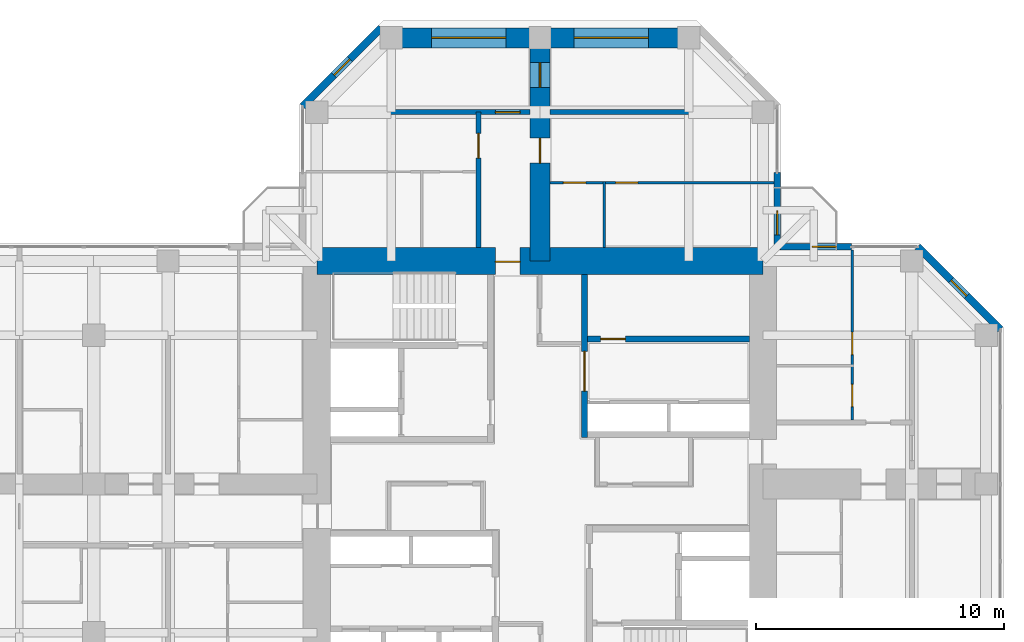
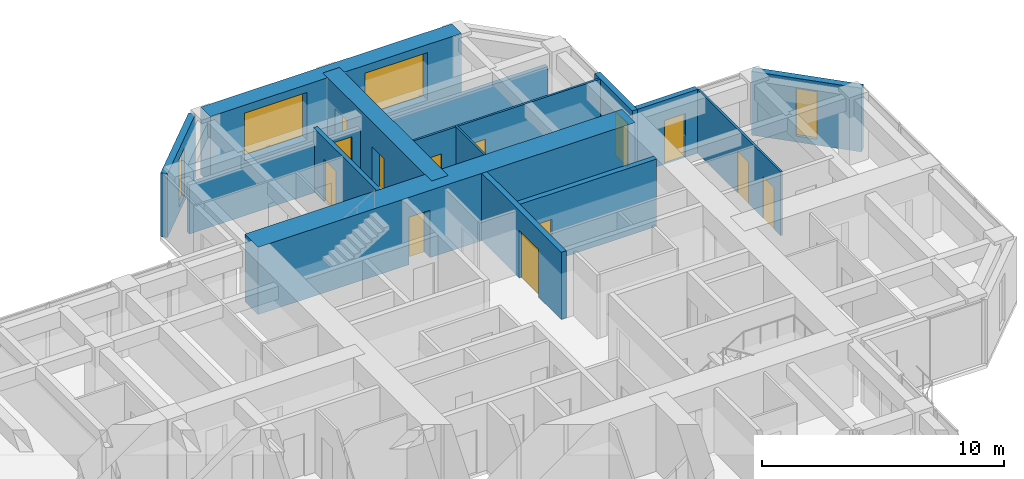
# One storey, part 12 of 14: 15 walls, 13 doors, 4 windows, 17 openings.
"""IFC4 building model written with IfcOpenShell, lengths in metres."""

from ifc_helpers import new_model, si_unit, direction, frame, frame_2d, origin, place, context, subcontext, project, spatial, rectangle, hollow_rectangle, extrude, material, layer, layer_set, constituent, constituent_set, type_object, element, fill, save


model = new_model("IFC4")

# Units and contexts
model_context = context("Model", 3, precision=1e-05, world=origin(), true_north=direction((0.0, 1.0)))
body_context = subcontext(model_context, "Body", "Model", "MODEL_VIEW")
ifc_project = project(units=[si_unit("LENGTHUNIT", "METRE"), si_unit("AREAUNIT", "SQUARE_METRE"), si_unit("VOLUMEUNIT", "CUBIC_METRE"), si_unit("PLANEANGLEUNIT", "RADIAN"), si_unit("MASSUNIT", "GRAM", prefix="KILO")], contexts=[model_context])

# Site, building, storey
site_placement = place(None, origin())
site = spatial("IfcSite", under=ifc_project, at=site_placement, CompositionType="ELEMENT")
building_placement = place(site_placement, origin())
building = spatial("IfcBuilding", under=site, at=building_placement, Name="Torre Cruceta", CompositionType="ELEMENT")
storey_placement = place(building_placement, frame((0.0, 0.0, 183.10009765625)))
storey = spatial("IfcBuildingStorey", under=building, at=storey_placement, Name="L45", CompositionType="ELEMENT", Elevation=183.10009765625)

# Wall
ifc_material_1 = material(Name="Water-resistant plasterboard on steel studs", Category="steel")
ifc_layer_1 = layer(ifc_material_1, 0.10009765625)
ifc_layer_set_1 = layer_set([ifc_layer_1], Name="Water-resistant plasterboard on steel studs")
wall_type_1 = type_object("IfcWallType", Name="BATHROOM WALL 100", PredefinedType="PARTITIONING", material=ifc_layer_set_1)
wall_1_placement = place(storey_placement, frame((2.60009765625, 9.550048828125, 0.0), z_axis=(0.0, 0.0, 1.0), x_axis=(0.0, 1.0, 0.0)))
element("IfcWall", 1, at=wall_1_placement, inside=storey, type_object=wall_type_1, Name="PT4 L45-N-U1RBB", PredefinedType="PARTITIONING", context=body_context, shape_type="SweptSolid", body=[
    extrude(rectangle(XDim=2.64990234375, YDim=0.10009765625, at=frame_2d((1.324951171875, 0.0))), origin(), (0.0, 0.0, 1.0), 3.219970703125),
])

# Wall, openings, doors
wall_2_placement = place(storey_placement, frame((9.445068359375, 12.14990234375, 0.0), z_axis=(0.0, 0.0, 1.0), x_axis=(-1.0, 0.0, 0.0)))
wall_2 = element("IfcWall", 2, at=wall_2_placement, inside=storey, type_object=wall_type_1, Name="PT4 L45-N-U1RBS", PredefinedType="PARTITIONING", context=body_context, shape_type="SweptSolid", body=[
    extrude(rectangle(XDim=9.045166015625, YDim=0.10009765625, at=frame_2d((4.5224609375, 0.0))), origin(), (0.0, 0.0, 1.0), 3.219970703125),
])
opening_1_placement = place(wall_2_placement, frame((5.4951171875, 0.0, 0.0)))
opening_1 = element("IfcOpeningElement", 3, at=opening_1_placement, cuts=wall_2, Name="Opening D7", PredefinedType="OPENING", context=body_context, shape_type="SweptSolid", body=[
    extrude(rectangle(XDim=0.89990234375, YDim=2.10009765625, at=frame_2d((0.449951171875, 1.050048828125))), frame((0.0, 0.06005859375, 0.0), z_axis=(0.0, -1.0, 0.0), x_axis=(1.0, 0.0, 0.0)), (0.0, 0.0, 1.0), 0.1201171875),
])
opening_2_placement = place(wall_2_placement, frame((7.594970703125, 0.0, 0.0)))
opening_2 = element("IfcOpeningElement", 4, at=opening_2_placement, cuts=wall_2, Name="Opening D7", PredefinedType="OPENING", context=body_context, shape_type="SweptSolid", body=[
    extrude(rectangle(XDim=0.89990234375, YDim=2.10009765625, at=frame_2d((0.449951171875, 1.050048828125))), frame((0.0, 0.06005859375, 0.0), z_axis=(0.0, -1.0, 0.0), x_axis=(1.0, 0.0, 0.0)), (0.0, 0.0, 1.0), 0.1201171875),
])
ifc_material_2 = material(Name="Timber door", Category="wood")
door_type_1 = type_object("IfcDoorType", Name="BATHROOM DOOR 900X2100", OperationType="SINGLE_SWING_LEFT", PredefinedType="DOOR", material=ifc_material_2)
door_1_placement = place(opening_1_placement, origin())
door_1 = element("IfcDoor", 5, at=door_1_placement, inside=storey, type_object=door_type_1, Name="D7 L45-N-U1RBS-D1", OperationType="SINGLE_SWING_RIGHT", OverallHeight=2.10009765625, OverallWidth=0.89990234375, PredefinedType="DOOR", context=body_context, shape_type="SweptSolid", body=[
    extrude(rectangle(XDim=0.89990234375, YDim=2.10009765625, at=frame_2d((0.449951171875, 1.050048828125))), frame((0.0, 0.02490234375, 0.0), z_axis=(0.0, -1.0, 0.0), x_axis=(1.0, 0.0, 0.0)), (0.0, 0.0, 1.0), 0.050048828125),
])
fill(opening_1, door_1)
door_2_placement = place(opening_2_placement, origin())
door_2 = element("IfcDoor", 6, at=door_2_placement, inside=storey, type_object=door_type_1, Name="D7 L45-N-U1RBS-D2", OperationType="SINGLE_SWING_RIGHT", OverallHeight=2.10009765625, OverallWidth=0.89990234375, PredefinedType="DOOR", context=body_context, shape_type="SweptSolid", body=[
    extrude(rectangle(XDim=0.89990234375, YDim=2.10009765625, at=frame_2d((0.449951171875, 1.050048828125))), frame((0.0, 0.02490234375, 0.0), z_axis=(0.0, -1.0, 0.0), x_axis=(1.0, 0.0, 0.0)), (0.0, 0.0, 1.0), 0.050048828125),
])
fill(opening_2, door_2)

wall_3_placement = place(storey_placement, frame((12.60009765625, 2.574951171875, 0.0), z_axis=(0.0, 0.0, 1.0), x_axis=(0.0, 1.0, 0.0)))
wall_3 = element("IfcWall", 7, at=wall_3_placement, inside=storey, type_object=wall_type_1, Name="PT4 L45-E-U1LBS", PredefinedType="PARTITIONING", context=body_context, shape_type="SweptSolid", body=[
    extrude(rectangle(XDim=6.8701171875, YDim=0.10009765625, at=frame_2d((3.43505859375, 0.0))), origin(), (0.0, 0.0, 1.0), 3.219970703125),
])
opening_3_placement = place(wall_3_placement, frame((0.550048828125, 0.0, 0.0)))
opening_3 = element("IfcOpeningElement", 8, at=opening_3_placement, cuts=wall_3, Name="Opening D7", PredefinedType="OPENING", context=body_context, shape_type="SweptSolid", body=[
    extrude(rectangle(XDim=0.89990234375, YDim=2.10009765625, at=frame_2d((0.449951171875, 1.050048828125))), frame((0.0, 0.06005859375, 0.0), z_axis=(0.0, -1.0, 0.0), x_axis=(1.0, 0.0, 0.0)), (0.0, 0.0, 1.0), 0.1201171875),
])
opening_4_placement = place(wall_3_placement, frame((2.64990234375, 0.0, 0.0)))
opening_4 = element("IfcOpeningElement", 9, at=opening_4_placement, cuts=wall_3, Name="Opening D7", PredefinedType="OPENING", context=body_context, shape_type="SweptSolid", body=[
    extrude(rectangle(XDim=0.89990234375, YDim=2.10009765625, at=frame_2d((0.449951171875, 1.050048828125))), frame((0.0, 0.06005859375, 0.0), z_axis=(0.0, -1.0, 0.0), x_axis=(1.0, 0.0, 0.0)), (0.0, 0.0, 1.0), 0.1201171875),
])
door_3_placement = place(opening_3_placement, origin())
door_3 = element("IfcDoor", 10, at=door_3_placement, inside=storey, type_object=door_type_1, Name="D7 L45-E-U1LBS-D1", OperationType="SINGLE_SWING_LEFT", OverallHeight=2.10009765625, OverallWidth=0.89990234375, PredefinedType="DOOR", context=body_context, shape_type="SweptSolid", body=[
    extrude(rectangle(XDim=0.89990234375, YDim=2.10009765625, at=frame_2d((0.449951171875, 1.050048828125))), frame((0.0, 0.02490234375, 0.0), z_axis=(0.0, -1.0, 0.0), x_axis=(1.0, 0.0, 0.0)), (0.0, 0.0, 1.0), 0.050048828125),
])
fill(opening_3, door_3)
door_4_placement = place(opening_4_placement, origin())
door_4 = element("IfcDoor", 11, at=door_4_placement, inside=storey, type_object=door_type_1, Name="D7 L45-E-U1LBS-D2", OperationType="SINGLE_SWING_LEFT", OverallHeight=2.10009765625, OverallWidth=0.89990234375, PredefinedType="DOOR", context=body_context, shape_type="SweptSolid", body=[
    extrude(rectangle(XDim=0.89990234375, YDim=2.10009765625, at=frame_2d((0.449951171875, 1.050048828125))), frame((0.0, 0.02490234375, 0.0), z_axis=(0.0, -1.0, 0.0), x_axis=(1.0, 0.0, 0.0)), (0.0, 0.0, 1.0), 0.050048828125),
])
fill(opening_4, door_4)

# Wall, opening, door
ifc_material_3 = material(Name="Concrete G60 (fck 60 MPa)", Category="concrete")
ifc_layer_2 = layer(ifc_material_3, 0.25)
ifc_layer_set_2 = layer_set([ifc_layer_2], Name="Concrete G60 (fck 60 MPa)")
wall_type_2 = type_object("IfcWallType", Name="CORE INNER WALL 250 G60", PredefinedType="SHEAR", material=ifc_layer_set_2)
wall_4_placement = place(storey_placement, frame((1.800048828125, 1.875, 0.0), z_axis=(0.0, 0.0, 1.0), x_axis=(0.0, 1.0, 0.0)))
wall_4 = element("IfcWall", 12, at=wall_4_placement, inside=storey, type_object=wall_type_2, Name="CW4 L45 NE-CU", PredefinedType="SHEAR", context=body_context, shape_type="SweptSolid", body=[
    extrude(rectangle(XDim=6.574951171875, YDim=0.25, at=frame_2d((3.28759765625, 0.0))), origin(), (0.0, 0.0, 1.0), 3.39990234375),
])
opening_5_placement = place(wall_4_placement, frame((1.875, 0.0, 0.0)))
opening_5 = element("IfcOpeningElement", 13, at=opening_5_placement, cuts=wall_4, Name="Opening D15", PredefinedType="OPENING", context=body_context, shape_type="SweptSolid", body=[
    extrude(rectangle(XDim=1.60009765625, YDim=2.39990234375, at=frame_2d((0.800048828125, 1.199951171875))), frame((0.0, 0.135009765625, 0.0), z_axis=(0.0, -1.0, 0.0), x_axis=(1.0, 0.0, 0.0)), (0.0, 0.0, 1.0), 0.27001953125),
])
ifc_material_4 = material(Name="Steel DX51D", Category="steel")
ifc_constituent_1 = constituent(ifc_material_4, Name="Leaf and frame")
ifc_material_5 = material(Name="Polyester powder coating", Category="paint")
ifc_constituent_2 = constituent(ifc_material_5, Name="Finish")
ifc_constituent_set_1 = constituent_set(constituents=[ifc_constituent_1, ifc_constituent_2], Name="Steel fire door")
door_type_2 = type_object("IfcDoorType", Name="CORE ROOM DOUBLE DOOR 1600X2400", OperationType="DOUBLE_DOOR_SINGLE_SWING", PredefinedType="DOOR", material=ifc_constituent_set_1)
door_5_placement = place(opening_5_placement, frame((1.60009765625, 0.0, 0.0), z_axis=(0.0, 0.0, 1.0), x_axis=(-1.0, 0.0, 0.0)))
door_5 = element("IfcDoor", 14, at=door_5_placement, inside=storey, type_object=door_type_2, Name="D15 L45 NE-LOBBY", OperationType="DOUBLE_DOOR_SINGLE_SWING", OverallHeight=2.39990234375, OverallWidth=1.60009765625, PredefinedType="DOOR", context=body_context, shape_type="SweptSolid", body=[
    extrude(rectangle(XDim=1.60009765625, YDim=2.39990234375, at=frame_2d((0.800048828125, 1.199951171875))), frame((0.0, 0.025146484375, 0.0), z_axis=(0.0, -1.0, 0.0), x_axis=(1.0, 0.0, 0.0)), (0.0, 0.0, 1.0), 0.050048828125),
])
fill(opening_5, door_5)

wall_5_placement = place(storey_placement, frame((1.925048828125, 5.85009765625, 0.0), z_axis=(0.0, 0.0, 1.0), x_axis=(1.0, 0.0, 0.0)))
wall_5 = element("IfcWall", 15, at=wall_5_placement, inside=storey, type_object=wall_type_2, Name="CW4 L45 NE-LV", PredefinedType="SHEAR", context=body_context, shape_type="SweptSolid", body=[
    extrude(rectangle(XDim=6.52490234375, YDim=0.25, at=frame_2d((3.262451171875, 0.0))), origin(), (0.0, 0.0, 1.0), 3.39990234375),
])
opening_6_placement = place(wall_5_placement, frame((0.520751953125, 0.0, 0.0)))
opening_6 = element("IfcOpeningElement", 16, at=opening_6_placement, cuts=wall_5, Name="Opening D3", PredefinedType="OPENING", context=body_context, shape_type="SweptSolid", body=[
    extrude(rectangle(XDim=1.0, YDim=2.10009765625, at=frame_2d((0.5, 1.050048828125))), frame((0.0, 0.135009765625, 0.0), z_axis=(0.0, -1.0, 0.0), x_axis=(1.0, 0.0, 0.0)), (0.0, 0.0, 1.0), 0.27001953125),
])
ifc_material_6 = material(Name="Steel DX51D", Category="steel")
ifc_constituent_3 = constituent(ifc_material_6, Name="Leaf and frame")
ifc_material_7 = material(Name="Polyester powder coating", Category="paint")
ifc_constituent_4 = constituent(ifc_material_7, Name="Finish")
ifc_constituent_set_2 = constituent_set(constituents=[ifc_constituent_3, ifc_constituent_4], Name="Steel fire door")
door_type_3 = type_object("IfcDoorType", Name="FIRE DOOR 1000X2100", OperationType="SINGLE_SWING_LEFT", PredefinedType="DOOR", material=ifc_constituent_set_2)
door_6_placement = place(opening_6_placement, origin())
door_6 = element("IfcDoor", 17, at=door_6_placement, inside=storey, type_object=door_type_3, Name="D3 L45 NE-HR1", OperationType="SINGLE_SWING_LEFT", OverallHeight=2.10009765625, OverallWidth=1.0, PredefinedType="DOOR", context=body_context, shape_type="SweptSolid", body=[
    extrude(rectangle(XDim=1.0, YDim=2.10009765625, at=frame_2d((0.5, 1.050048828125))), frame((0.0, 0.02490234375, 0.0), z_axis=(0.0, -1.0, 0.0), x_axis=(1.0, 0.0, 0.0)), (0.0, 0.0, 1.0), 0.050048828125),
])
fill(opening_6, door_6)

ifc_material_8 = material(Name="Concrete G60 (fck 60 MPa)", Category="concrete")
ifc_layer_3 = layer(ifc_material_8, 1.10009765625)
ifc_layer_set_3 = layer_set([ifc_layer_3], Name="Concrete G60 (fck 60 MPa)")
wall_type_3 = type_object("IfcWallType", Name="CORE WALL 1100 G60", PredefinedType="SHEAR", material=ifc_layer_set_3)
wall_6_placement = place(storey_placement, frame((9.0, 9.0, 0.0), z_axis=(0.0, 0.0, 1.0), x_axis=(-1.0, 0.0, 0.0)))
wall_6 = element("IfcWall", 18, at=wall_6_placement, inside=storey, type_object=wall_type_3, Name="CW2 L45 CW-N", PredefinedType="SHEAR", context=body_context, shape_type="SweptSolid", body=[
    extrude(rectangle(XDim=18.0, YDim=1.10009765625, at=frame_2d((9.0, 0.0))), origin(), (0.0, 0.0, 1.0), 3.39990234375),
])
opening_7_placement = place(wall_6_placement, frame((9.800048828125, 0.0, 0.0)))
opening_7 = element("IfcOpeningElement", 19, at=opening_7_placement, cuts=wall_6, Name="Opening D4", PredefinedType="OPENING", context=body_context, shape_type="SweptSolid", body=[
    extrude(rectangle(XDim=1.0, YDim=2.39990234375, at=frame_2d((0.5, 1.199951171875))), frame((0.0, 0.56005859375, 0.0), z_axis=(0.0, -1.0, 0.0), x_axis=(1.0, 0.0, 0.0)), (0.0, 0.0, 1.0), 1.1201171875),
])
ifc_material_9 = material(Name="Steel DX51D", Category="steel")
ifc_constituent_5 = constituent(ifc_material_9, Name="Leaf and frame")
ifc_material_10 = material(Name="Polyester powder coating", Category="paint")
ifc_constituent_6 = constituent(ifc_material_10, Name="Finish")
ifc_constituent_set_3 = constituent_set(constituents=[ifc_constituent_5, ifc_constituent_6], Name="Steel fire door")
door_type_4 = type_object("IfcDoorType", Name="CORE ARM DOOR 1000X2400", OperationType="SINGLE_SWING_RIGHT", PredefinedType="DOOR", material=ifc_constituent_set_3)
door_7_placement = place(opening_7_placement, origin())
door_7 = element("IfcDoor", 20, at=door_7_placement, inside=storey, type_object=door_type_4, Name="D4 L45 CW-N", OperationType="SINGLE_SWING_RIGHT", OverallHeight=2.39990234375, OverallWidth=1.0, PredefinedType="DOOR", context=body_context, shape_type="SweptSolid", body=[
    extrude(rectangle(XDim=1.0, YDim=2.39990234375, at=frame_2d((0.5, 1.199951171875))), frame((0.0, 0.05517578125, 0.0), z_axis=(0.0, -1.0, 0.0), x_axis=(1.0, 0.0, 0.0)), (0.0, 0.0, 1.0), 0.050048828125),
])
fill(opening_7, door_7)

ifc_material_11 = material(Name="Concrete G25 (fck 25 MPa)", Category="concrete")
ifc_layer_4 = layer(ifc_material_11, 0.199951171875)
ifc_layer_set_4 = layer_set([ifc_layer_4], Name="Concrete G25 (fck 25 MPa)")
wall_type_4 = type_object("IfcWallType", Name="CORRIDOR WALL 200", PredefinedType="SOLIDWALL", material=ifc_layer_set_4)
wall_7_placement = place(storey_placement, frame((-2.47509765625, 9.550048828125, 0.0), z_axis=(0.0, 0.0, 1.0), x_axis=(0.0, 1.0, 0.0)))
wall_7 = element("IfcWall", 21, at=wall_7_placement, inside=storey, type_object=wall_type_4, Name="PT3 L45-N-CL", PredefinedType="SOLIDWALL", context=body_context, shape_type="SweptSolid", body=[
    extrude(rectangle(XDim=5.449951171875, YDim=0.199951171875, at=frame_2d((2.72509765625, 0.0))), origin(), (0.0, 0.0, 1.0), 3.219970703125),
])
opening_8_placement = place(wall_7_placement, frame((3.60009765625, 0.0, 0.0)))
opening_8 = element("IfcOpeningElement", 22, at=opening_8_placement, cuts=wall_7, Name="Opening D6", PredefinedType="OPENING", context=body_context, shape_type="SweptSolid", body=[
    extrude(rectangle(XDim=1.0, YDim=2.14990234375, at=frame_2d((0.5, 1.074951171875))), frame((0.0, 0.10986328125, 0.0), z_axis=(0.0, -1.0, 0.0), x_axis=(1.0, 0.0, 0.0)), (0.0, 0.0, 1.0), 0.219970703125),
])
ifc_material_12 = material(Name="Timber fire door", Category="wood")
door_type_5 = type_object("IfcDoorType", Name="UNIT ENTRANCE DOOR 1000X2150", OperationType="SINGLE_SWING_LEFT", PredefinedType="DOOR", material=ifc_material_12)
door_8_placement = place(opening_8_placement, origin())
door_8 = element("IfcDoor", 23, at=door_8_placement, inside=storey, type_object=door_type_5, Name="D6 L45-N-CL-D1", OperationType="SINGLE_SWING_LEFT", OverallHeight=2.14990234375, OverallWidth=1.0, PredefinedType="DOOR", context=body_context, shape_type="SweptSolid", body=[
    extrude(rectangle(XDim=1.0, YDim=2.14990234375, at=frame_2d((0.5, 1.074951171875))), frame((0.0, 0.02490234375, 0.0), z_axis=(0.0, -1.0, 0.0), x_axis=(1.0, 0.0, 0.0)), (0.0, 0.0, 1.0), 0.050048828125),
])
fill(opening_8, door_8)

# Wall, opening, window
ifc_material_13 = material(Name="Concrete G30 (fck 30 MPa)", Category="concrete")
ifc_layer_5 = layer(ifc_material_13, 0.300048828125)
ifc_layer_set_5 = layer_set([ifc_layer_5], Name="Concrete G30 (fck 30 MPa)")
wall_type_5 = type_object("IfcWallType", Name="EXPOSED CONCRETE FACADE WALL 300", PredefinedType="SOLIDWALL", material=ifc_layer_set_5)
wall_8_placement = place(storey_placement, frame((18.570068359375, 6.236083984375, 0.0), z_axis=(0.0, 0.0, 1.0), x_axis=(-0.707106781187, 0.707106781187, 0.0)))
wall_8 = element("IfcWall", 24, at=wall_8_placement, inside=storey, type_object=wall_type_5, Name="EW1 facade wall L45 E chamfer 03", PredefinedType="SOLIDWALL", context=body_context, shape_type="SweptSolid", body=[
    extrude(rectangle(XDim=4.715087890625, YDim=0.300048828125, at=frame_2d((2.357421875, 0.0))), origin(), (0.0, 0.0, 1.0), 3.219970703125),
])
opening_9_placement = place(wall_8_placement, frame((1.907470703125, 0.0, 0.300048828125)))
opening_9 = element("IfcOpeningElement", 25, at=opening_9_placement, cuts=wall_8, Name="Opening WN5", PredefinedType="OPENING", context=body_context, shape_type="SweptSolid", body=[
    extrude(rectangle(XDim=0.89990234375, YDim=2.39990234375, at=frame_2d((0.449951171875, 1.199951171875))), frame((0.0, 0.159912109375, 0.0), z_axis=(0.0, -1.0, 0.0), x_axis=(1.0, 0.0, 0.0)), (0.0, 0.0, 1.0), 0.320068359375),
])
ifc_material_14 = material(Name="Aluminium window frame", Category="aluminium")
ifc_constituent_7 = constituent(ifc_material_14, Name="Frame")
ifc_material_15 = material(Name="Laminated insulating glass unit, low-iron clear", Category="glass")
ifc_constituent_8 = constituent(ifc_material_15, Name="Glazing")
ifc_constituent_set_4 = constituent_set(constituents=[ifc_constituent_7, ifc_constituent_8], Name="Aluminium window")
window_type_1 = type_object("IfcWindowType", Name="CHAMFER SLOT WINDOW 900X2400", PartitioningType="SINGLE_PANEL", PredefinedType="WINDOW", material=ifc_constituent_set_4)
window_1_placement = place(opening_9_placement, origin())
window_1 = element("IfcWindow", 26, at=window_1_placement, inside=storey, type_object=window_type_1, Name="WN5 L45 E 1", OverallHeight=2.39990234375, OverallWidth=0.89990234375, PartitioningType="SINGLE_PANEL", PredefinedType="WINDOW", context=body_context, shape_type="SweptSolid", body=[
    extrude(hollow_rectangle(XDim=0.89990234375, YDim=2.39990234375, WallThickness=0.06005859375, at=frame_2d((0.449951171875, 1.199951171875))), frame((0.0, 0.030029296875, 0.0), z_axis=(0.0, -1.0, 0.0), x_axis=(1.0, 0.0, 0.0)), (0.0, 0.0, 1.0), 0.06005859375),
    extrude(rectangle(XDim=0.77880859375, YDim=2.27880859375, at=frame_2d((0.449951171875, 1.199951171875))), frame((0.0, 0.030029296875, 0.0), z_axis=(0.0, -1.0, 0.0), x_axis=(1.0, 0.0, 0.0)), (0.0, 0.0, 1.0), 0.06005859375),
])
fill(opening_9, window_1)

wall_9_placement = place(storey_placement, frame((-6.406005859375, 18.39990234375, 0.0), z_axis=(0.0, 0.0, 1.0), x_axis=(-0.707134062067, -0.707079499254, 0.0)))
wall_9 = element("IfcWall", 27, at=wall_9_placement, inside=storey, type_object=wall_type_5, Name="EW1 facade wall L45 N chamfer 08", PredefinedType="SOLIDWALL", context=body_context, shape_type="SweptSolid", body=[
    extrude(rectangle(XDim=4.474609375, YDim=0.300048828125, at=frame_2d((2.2373046875, 0.0))), origin(), (0.0, 0.0, 1.0), 3.219970703125),
])
opening_10_placement = place(wall_9_placement, frame((1.787109375, 0.0, 0.300048828125)))
opening_10 = element("IfcOpeningElement", 28, at=opening_10_placement, cuts=wall_9, Name="Opening WN5", PredefinedType="OPENING", context=body_context, shape_type="SweptSolid", body=[
    extrude(rectangle(XDim=0.89990234375, YDim=2.39990234375, at=frame_2d((0.449951171875, 1.199951171875))), frame((0.0, 0.159912109375, 0.0), z_axis=(0.0, -1.0, 0.0), x_axis=(1.0, 0.0, 0.0)), (0.0, 0.0, 1.0), 0.320068359375),
])
window_2_placement = place(opening_10_placement, origin())
window_2 = element("IfcWindow", 29, at=window_2_placement, inside=storey, type_object=window_type_1, Name="WN5 L45 N 1", OverallHeight=2.39990234375, OverallWidth=0.89990234375, PartitioningType="SINGLE_PANEL", PredefinedType="WINDOW", context=body_context, shape_type="SweptSolid", body=[
    extrude(hollow_rectangle(XDim=0.89990234375, YDim=2.39990234375, WallThickness=0.06005859375, at=frame_2d((0.449951171875, 1.199951171875))), frame((0.0, 0.030029296875, 0.0), z_axis=(0.0, -1.0, 0.0), x_axis=(1.0, 0.0, 0.0)), (0.0, 0.0, 1.0), 0.06005859375),
    extrude(rectangle(XDim=0.77880859375, YDim=2.27880859375, at=frame_2d((0.449951171875, 1.199951171875))), frame((0.0, 0.030029296875, 0.0), z_axis=(0.0, -1.0, 0.0), x_axis=(1.0, 0.0, 0.0)), (0.0, 0.0, 1.0), 0.06005859375),
])
fill(opening_10, window_2)

# Wall, openings, windows
ifc_material_16 = material(Name="Concrete G60 (fck 60 MPa)", Category="concrete")
ifc_layer_6 = layer(ifc_material_16, 0.800048828125)
ifc_layer_set_6 = layer_set([ifc_layer_6], Name="Concrete G60 (fck 60 MPa)")
wall_type_6 = type_object("IfcWallType", Name="NOSE WALL 800 G60", PredefinedType="SHEAR", material=ifc_layer_set_6)
wall_10_placement = place(storey_placement, frame((6.0, 18.0, 0.0), z_axis=(0.0, 0.0, 1.0), x_axis=(-1.0, 0.0, 0.0)))
wall_10 = element("IfcWall", 30, at=wall_10_placement, inside=storey, type_object=wall_type_6, Name="NW2 nose wall L45 N", PredefinedType="SHEAR", context=body_context, shape_type="SweptSolid", body=[
    extrude(rectangle(XDim=12.0, YDim=0.800048828125, at=frame_2d((6.0, 0.0))), origin(), (0.0, 0.0, 1.0), 3.39990234375),
])
opening_11_placement = place(wall_10_placement, frame((1.625, 0.0, 0.60009765625)))
opening_11 = element("IfcOpeningElement", 31, at=opening_11_placement, cuts=wall_10, Name="Opening WN6", PredefinedType="OPENING", context=body_context, shape_type="SweptSolid", body=[
    extrude(rectangle(XDim=3.0, YDim=2.39990234375, at=frame_2d((1.5, 1.199951171875))), frame((0.0, 0.409912109375, 0.0), z_axis=(0.0, -1.0, 0.0), x_axis=(1.0, 0.0, 0.0)), (0.0, 0.0, 1.0), 0.820068359375),
])
opening_12_placement = place(wall_10_placement, frame((7.375, 0.0, 0.60009765625)))
opening_12 = element("IfcOpeningElement", 32, at=opening_12_placement, cuts=wall_10, Name="Opening WN6", PredefinedType="OPENING", context=body_context, shape_type="SweptSolid", body=[
    extrude(rectangle(XDim=3.0, YDim=2.39990234375, at=frame_2d((1.5, 1.199951171875))), frame((0.0, 0.409912109375, 0.0), z_axis=(0.0, -1.0, 0.0), x_axis=(1.0, 0.0, 0.0)), (0.0, 0.0, 1.0), 0.820068359375),
])
ifc_material_17 = material(Name="Aluminium window frame", Category="aluminium")
ifc_constituent_9 = constituent(ifc_material_17, Name="Frame")
ifc_material_18 = material(Name="Laminated insulating glass unit, low-iron clear", Category="glass")
ifc_constituent_10 = constituent(ifc_material_18, Name="Glazing")
ifc_constituent_set_5 = constituent_set(constituents=[ifc_constituent_9, ifc_constituent_10], Name="Aluminium window")
window_type_2 = type_object("IfcWindowType", Name="NOSE WALL WINDOW 3000X2400", PartitioningType="SINGLE_PANEL", PredefinedType="WINDOW", material=ifc_constituent_set_5)
window_3_placement = place(opening_11_placement, origin())
window_3 = element("IfcWindow", 33, at=window_3_placement, inside=storey, type_object=window_type_2, Name="WN6 L45 N 1", OverallHeight=2.39990234375, OverallWidth=3.0, PartitioningType="SINGLE_PANEL", PredefinedType="WINDOW", context=body_context, shape_type="SweptSolid", body=[
    extrude(hollow_rectangle(XDim=3.0, YDim=2.39990234375, WallThickness=0.06005859375, at=frame_2d((1.5, 1.199951171875))), frame((0.0, 0.030029296875, 0.0), z_axis=(0.0, -1.0, 0.0), x_axis=(1.0, 0.0, 0.0)), (0.0, 0.0, 1.0), 0.06005859375),
    extrude(rectangle(XDim=2.87890625, YDim=2.27880859375, at=frame_2d((1.5, 1.199951171875))), frame((0.0, 0.030029296875, 0.0), z_axis=(0.0, -1.0, 0.0), x_axis=(1.0, 0.0, 0.0)), (0.0, 0.0, 1.0), 0.06005859375),
])
fill(opening_11, window_3)
window_4_placement = place(opening_12_placement, origin())
window_4 = element("IfcWindow", 34, at=window_4_placement, inside=storey, type_object=window_type_2, Name="WN6 L45 N 2", OverallHeight=2.39990234375, OverallWidth=3.0, PartitioningType="SINGLE_PANEL", PredefinedType="WINDOW", context=body_context, shape_type="SweptSolid", body=[
    extrude(hollow_rectangle(XDim=3.0, YDim=2.39990234375, WallThickness=0.06005859375, at=frame_2d((1.5, 1.199951171875))), frame((0.0, 0.030029296875, 0.0), z_axis=(0.0, -1.0, 0.0), x_axis=(1.0, 0.0, 0.0)), (0.0, 0.0, 1.0), 0.06005859375),
    extrude(rectangle(XDim=2.87890625, YDim=2.27880859375, at=frame_2d((1.5, 1.199951171875))), frame((0.0, 0.030029296875, 0.0), z_axis=(0.0, -1.0, 0.0), x_axis=(1.0, 0.0, 0.0)), (0.0, 0.0, 1.0), 0.06005859375),
])
fill(opening_12, window_4)

# Wall, openings, doors
ifc_material_19 = material(Name="Concrete G60 (fck 60 MPa)", Category="concrete")
ifc_layer_7 = layer(ifc_material_19, 0.800048828125)
ifc_layer_set_7 = layer_set([ifc_layer_7], Name="Concrete G60 (fck 60 MPa)")
wall_type_7 = type_object("IfcWallType", Name="SPINE WALL 800 G60", PredefinedType="SHEAR", material=ifc_layer_set_7)
wall_11_placement = place(storey_placement, frame((0.0, 9.0, 0.0), z_axis=(0.0, 0.0, 1.0), x_axis=(0.0, 1.0, 0.0)))
wall_11 = element("IfcWall", 35, at=wall_11_placement, inside=storey, type_object=wall_type_7, Name="SW4 spine wall L45 N", PredefinedType="SHEAR", context=body_context, shape_type="SweptSolid", body=[
    extrude(rectangle(XDim=9.0, YDim=0.800048828125, at=frame_2d((4.5, 0.0))), origin(), (0.0, 0.0, 1.0), 3.39990234375),
])
opening_13_placement = place(wall_11_placement, frame((3.949951171875, 0.0, 0.0)))
opening_13 = element("IfcOpeningElement", 36, at=opening_13_placement, cuts=wall_11, Name="Opening D6", PredefinedType="OPENING", context=body_context, shape_type="SweptSolid", body=[
    extrude(rectangle(XDim=1.0, YDim=2.14990234375, at=frame_2d((0.5, 1.074951171875))), frame((0.0, 0.409912109375, 0.0), z_axis=(0.0, -1.0, 0.0), x_axis=(1.0, 0.0, 0.0)), (0.0, 0.0, 1.0), 0.820068359375),
])
opening_14_placement = place(wall_11_placement, frame((7.0, 0.0, 0.0)))
opening_14 = element("IfcOpeningElement", 37, at=opening_14_placement, cuts=wall_11, Name="Opening D14", PredefinedType="OPENING", context=body_context, shape_type="SweptSolid", body=[
    extrude(rectangle(XDim=1.0, YDim=2.199951171875, at=frame_2d((0.5, 1.10009765625))), frame((0.0, 0.409912109375, 0.0), z_axis=(0.0, -1.0, 0.0), x_axis=(1.0, 0.0, 0.0)), (0.0, 0.0, 1.0), 0.820068359375),
])
ifc_material_20 = material(Name="Steel DX51D", Category="steel")
ifc_constituent_11 = constituent(ifc_material_20, Name="Leaf and frame")
ifc_material_21 = material(Name="Polyester powder coating", Category="paint")
ifc_constituent_12 = constituent(ifc_material_21, Name="Finish")
ifc_material_22 = material(Name="Fire-resisting glass", Category="glass")
ifc_constituent_13 = constituent(ifc_material_22, Name="Vision panel")
ifc_constituent_set_6 = constituent_set(constituents=[ifc_constituent_11, ifc_constituent_12, ifc_constituent_13], Name="Steel fire door with vision panel")
door_type_6 = type_object("IfcDoorType", Name="FIRE DOOR VISION PANEL 1000X2200", OperationType="SINGLE_SWING_RIGHT", PredefinedType="DOOR", material=ifc_constituent_set_6)
door_9_placement = place(opening_14_placement, origin())
door_9 = element("IfcDoor", 38, at=door_9_placement, inside=storey, type_object=door_type_6, Name="D14 L45-N-SP2", OperationType="SINGLE_SWING_RIGHT", OverallHeight=2.199951171875, OverallWidth=1.0, PredefinedType="DOOR", context=body_context, shape_type="SweptSolid", body=[
    extrude(rectangle(XDim=1.0, YDim=2.199951171875, at=frame_2d((0.5, 1.10009765625))), frame((0.0, 0.02490234375, 0.0), z_axis=(0.0, -1.0, 0.0), x_axis=(1.0, 0.0, 0.0)), (0.0, 0.0, 1.0), 0.050048828125),
])
fill(opening_14, door_9)
door_10_placement = place(opening_13_placement, frame((1.0, 0.0, 0.0), z_axis=(0.0, 0.0, 1.0), x_axis=(-1.0, 0.0, 0.0)))
door_10 = element("IfcDoor", 39, at=door_10_placement, inside=storey, type_object=door_type_5, Name="D6 L45-N-SP1", OperationType="SINGLE_SWING_RIGHT", OverallHeight=2.14990234375, OverallWidth=1.0, PredefinedType="DOOR", context=body_context, shape_type="SweptSolid", body=[
    extrude(rectangle(XDim=1.0, YDim=2.14990234375, at=frame_2d((0.5, 1.074951171875))), frame((0.0, 0.025146484375, 0.0), z_axis=(0.0, -1.0, 0.0), x_axis=(1.0, 0.0, 0.0)), (0.0, 0.0, 1.0), 0.050048828125),
])
fill(opening_13, door_10)

# Wall
ifc_material_23 = material(Name="Concrete G25 (fck 25 MPa)", Category="concrete")
ifc_layer_8 = layer(ifc_material_23, 0.199951171875)
ifc_layer_set_8 = layer_set([ifc_layer_8], Name="Concrete G25 (fck 25 MPa)")
wall_type_8 = type_object("IfcWallType", Name="UNIT SEPARATING WALL 200", PredefinedType="SOLIDWALL", material=ifc_layer_set_8)
wall_12_placement = place(storey_placement, frame((8.550048828125, 15.0, 0.0), z_axis=(0.0, 0.0, 1.0), x_axis=(-1.0, 0.0, 0.0)))
element("IfcWall", 40, at=wall_12_placement, inside=storey, type_object=wall_type_8, Name="PT2 L45-N-ENDa", PredefinedType="SOLIDWALL", context=body_context, shape_type="SweptSolid", body=[
    extrude(rectangle(XDim=8.150146484375, YDim=0.199951171875, at=frame_2d((4.0751953125, 0.0))), origin(), (0.0, 0.0, 1.0), 2.469970703125),
])

# Wall, opening, door
wall_13_placement = place(storey_placement, frame((-0.39990234375, 15.0, 0.0), z_axis=(0.0, 0.0, 1.0), x_axis=(-1.0, 0.0, 0.0)))
wall_13 = element("IfcWall", 41, at=wall_13_placement, inside=storey, type_object=wall_type_8, Name="PT2 L45-N-ENDb", PredefinedType="SOLIDWALL", context=body_context, shape_type="SweptSolid", body=[
    extrude(rectangle(XDim=8.150146484375, YDim=0.199951171875, at=frame_2d((4.0751953125, 0.0))), origin(), (0.0, 0.0, 1.0), 2.469970703125),
])
opening_15_placement = place(wall_13_placement, frame((0.39990234375, 0.0, 0.0)))
opening_15 = element("IfcOpeningElement", 42, at=opening_15_placement, cuts=wall_13, Name="Opening D14", PredefinedType="OPENING", context=body_context, shape_type="SweptSolid", body=[
    extrude(rectangle(XDim=1.0, YDim=2.199951171875, at=frame_2d((0.5, 1.10009765625))), frame((0.0, 0.10986328125, 0.0), z_axis=(0.0, -1.0, 0.0), x_axis=(1.0, 0.0, 0.0)), (0.0, 0.0, 1.0), 0.219970703125),
])
door_11_placement = place(opening_15_placement, frame((1.0, 0.0, 0.0), z_axis=(0.0, 0.0, 1.0), x_axis=(-1.0, 0.0, 0.0)))
door_11 = element("IfcDoor", 43, at=door_11_placement, inside=storey, type_object=door_type_6, Name="D14 L45-N-ENDb-D1", OperationType="SINGLE_SWING_RIGHT", OverallHeight=2.199951171875, OverallWidth=1.0, PredefinedType="DOOR", context=body_context, shape_type="SweptSolid", body=[
    extrude(rectangle(XDim=1.0, YDim=2.199951171875, at=frame_2d((0.5, 1.10009765625))), frame((0.0, 0.025146484375, 0.0), z_axis=(0.0, -1.0, 0.0), x_axis=(1.0, 0.0, 0.0)), (0.0, 0.0, 1.0), 0.050048828125),
])
fill(opening_15, door_11)

ifc_material_24 = material(Name="Concrete G30 (fck 30 MPa)", Category="concrete")
ifc_layer_9 = layer(ifc_material_24, 0.25)
ifc_layer_set_9 = layer_set([ifc_layer_9], Name="Concrete G30 (fck 30 MPa)")
wall_type_9 = type_object("IfcWallType", Name="WINTER GARDEN WALL 250", PredefinedType="SOLIDWALL", material=ifc_layer_set_9)
wall_14_placement = place(storey_placement, frame((12.570068359375, 9.570068359375, 0.0), z_axis=(0.0, 0.0, 1.0), x_axis=(-1.0, 0.0, 0.0)))
wall_14 = element("IfcWall", 44, at=wall_14_placement, inside=storey, type_object=wall_type_9, Name="EW2 winter garden wall L45 04", PredefinedType="SOLIDWALL", context=body_context, shape_type="SweptSolid", body=[
    extrude(rectangle(XDim=2.875, YDim=0.25, at=frame_2d((1.4375, 0.0))), origin(), (0.0, 0.0, 1.0), 3.219970703125),
])
opening_16_placement = place(wall_14_placement, frame((0.60009765625, 0.0, 0.0)))
opening_16 = element("IfcOpeningElement", 45, at=opening_16_placement, cuts=wall_14, Name="Opening D10", PredefinedType="OPENING", context=body_context, shape_type="SweptSolid", body=[
    extrude(rectangle(XDim=1.0, YDim=2.199951171875, at=frame_2d((0.5, 1.10009765625))), frame((0.0, 0.135009765625, 0.0), z_axis=(0.0, -1.0, 0.0), x_axis=(1.0, 0.0, 0.0)), (0.0, 0.0, 1.0), 0.27001953125),
])
ifc_material_25 = material(Name="Aluminium door frame", Category="aluminium")
ifc_constituent_14 = constituent(ifc_material_25, Name="Frame")
ifc_material_26 = material(Name="Laminated safety glass", Category="glass")
ifc_constituent_15 = constituent(ifc_material_26, Name="Glazing")
ifc_constituent_set_7 = constituent_set(constituents=[ifc_constituent_14, ifc_constituent_15], Name="Aluminium glazed door")
door_type_7 = type_object("IfcDoorType", Name="BALCONY DOOR 1000X2200", OperationType="SINGLE_SWING_RIGHT", PredefinedType="DOOR", material=ifc_constituent_set_7)
door_12_placement = place(opening_16_placement, origin())
door_12 = element("IfcDoor", 46, at=door_12_placement, inside=storey, type_object=door_type_7, Name="D10 balcony door L45 04", OperationType="SINGLE_SWING_LEFT", OverallHeight=2.199951171875, OverallWidth=1.0, PredefinedType="DOOR", context=body_context, shape_type="SweptSolid", body=[
    extrude(hollow_rectangle(XDim=1.0, YDim=2.199951171875, WallThickness=0.06005859375, at=frame_2d((0.5, 1.10009765625))), frame((0.0, 0.02490234375, 0.0), z_axis=(0.0, -1.0, 0.0), x_axis=(1.0, 0.0, 0.0)), (0.0, 0.0, 1.0), 0.050048828125),
    extrude(rectangle(XDim=0.87890625, YDim=2.078857421875, at=frame_2d((0.5, 1.10009765625))), frame((0.0, 0.02490234375, 0.0), z_axis=(0.0, -1.0, 0.0), x_axis=(1.0, 0.0, 0.0)), (0.0, 0.0, 1.0), 0.050048828125),
])
fill(opening_16, door_12)

wall_15_placement = place(storey_placement, frame((9.570068359375, 9.445068359375, 0.0), z_axis=(0.0, 0.0, 1.0), x_axis=(0.0, 1.0, 0.0)))
wall_15 = element("IfcWall", 47, at=wall_15_placement, inside=storey, type_object=wall_type_9, Name="EW2 winter garden wall L45 05", PredefinedType="SOLIDWALL", context=body_context, shape_type="SweptSolid", body=[
    extrude(rectangle(XDim=3.125, YDim=0.25, at=frame_2d((1.5625, 0.0))), origin(), (0.0, 0.0, 1.0), 3.219970703125),
])
opening_17_placement = place(wall_15_placement, frame((0.60009765625, 0.0, 0.0)))
opening_17 = element("IfcOpeningElement", 48, at=opening_17_placement, cuts=wall_15, Name="Opening D10", PredefinedType="OPENING", context=body_context, shape_type="SweptSolid", body=[
    extrude(rectangle(XDim=1.0, YDim=2.199951171875, at=frame_2d((0.5, 1.10009765625))), frame((0.0, 0.135009765625, 0.0), z_axis=(0.0, -1.0, 0.0), x_axis=(1.0, 0.0, 0.0)), (0.0, 0.0, 1.0), 0.27001953125),
])
door_13_placement = place(opening_17_placement, origin())
door_13 = element("IfcDoor", 49, at=door_13_placement, inside=storey, type_object=door_type_7, Name="D10 balcony door L45 05", OperationType="SINGLE_SWING_LEFT", OverallHeight=2.199951171875, OverallWidth=1.0, PredefinedType="DOOR", context=body_context, shape_type="SweptSolid", body=[
    extrude(hollow_rectangle(XDim=1.0, YDim=2.199951171875, WallThickness=0.06005859375, at=frame_2d((0.5, 1.10009765625))), frame((0.0, 0.02490234375, 0.0), z_axis=(0.0, -1.0, 0.0), x_axis=(1.0, 0.0, 0.0)), (0.0, 0.0, 1.0), 0.050048828125),
    extrude(rectangle(XDim=0.87890625, YDim=2.078857421875, at=frame_2d((0.5, 1.10009765625))), frame((0.0, 0.02490234375, 0.0), z_axis=(0.0, -1.0, 0.0), x_axis=(1.0, 0.0, 0.0)), (0.0, 0.0, 1.0), 0.050048828125),
])
fill(opening_17, door_13)

save(model, "model.ifc")
